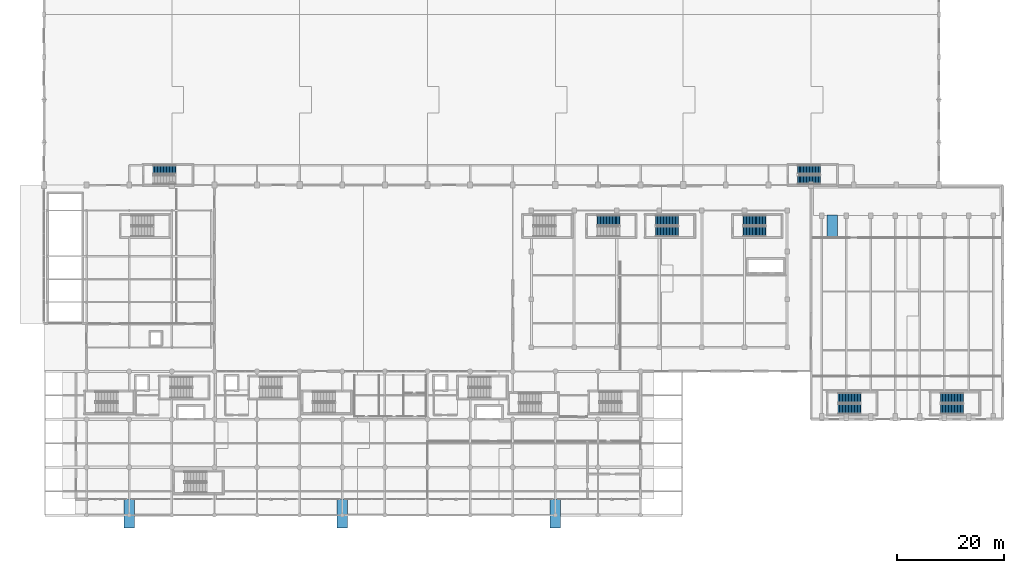
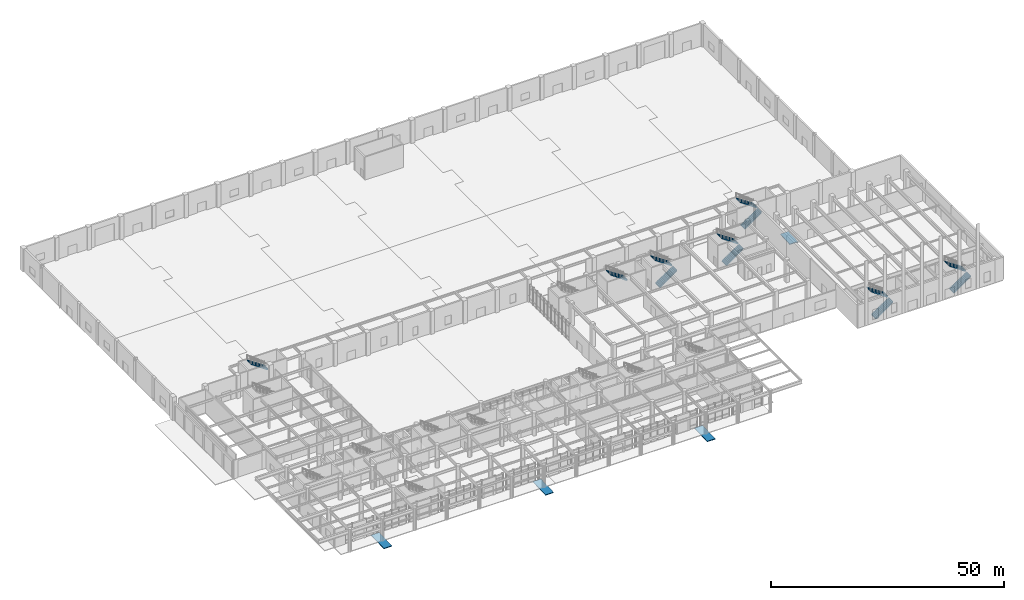
# One storey, part 39 of 49: 12 stair flights, 4 ramp flights, 11 elements without a shape of their own.
"""IFC4 building model written with IfcOpenShell, lengths in metres."""

from ifc_helpers import new_model, si_unit, direction, frame, origin, place, context, subcontext, project, spatial, polyline, outline, extrude, material, layer, layer_set, type_object, element, aggregate, save


model = new_model("IFC4")

# Units and contexts
model_context = context("Model", 3, precision=1e-05, world=origin(), true_north=direction((0.0, 1.0)))
body_context = subcontext(model_context, "Body", "Model", "MODEL_VIEW")
ifc_project = project(units=[si_unit("LENGTHUNIT", "METRE"), si_unit("AREAUNIT", "SQUARE_METRE"), si_unit("VOLUMEUNIT", "CUBIC_METRE"), si_unit("PLANEANGLEUNIT", "RADIAN"), si_unit("MASSUNIT", "GRAM", prefix="KILO")], contexts=[model_context])

# Site, building, storey
site_placement = place(None, origin())
site = spatial("IfcSite", under=ifc_project, at=site_placement, CompositionType="ELEMENT")
building_placement = place(site_placement, origin())
building = spatial("IfcBuilding", under=site, at=building_placement, Name="Tlacozan Convention Centre", CompositionType="ELEMENT")
storey_placement = place(building_placement, origin())
storey = spatial("IfcBuildingStorey", under=building, at=storey_placement, Name="L00", CompositionType="ELEMENT", Elevation=0.0)

# Stair, stair flight
ifc_material = material(Name="Concrete C40/50", Category="concrete")
stair_type_1 = type_object("IfcStairType", Name="Protected Dogleg Stair W170 H60", PredefinedType="HALF_TURN_STAIR", material=ifc_material)
stair_1_placement = place(storey_placement, origin())
stair_1 = element("IfcStair", 1, at=stair_1_placement, inside=storey, type_object=stair_type_1, Name="L00 Exhibition West Stair", PredefinedType="HALF_TURN_STAIR")
stair_flight_type_1 = type_object("IfcStairFlightType", Name="Concrete Stair Flight W170 H60", PredefinedType="STRAIGHT", material=ifc_material)
stair_flight_1_placement = place(storey_placement, frame((24.699951171875, 64.85009765625, 3.0), z_axis=(0.0, 0.0, 1.0), x_axis=(-1.0, 0.0, 0.0)))
stair_flight_1 = element("IfcStairFlight", 2, at=stair_flight_1_placement, type_object=stair_flight_type_1, Name="ST-10 flight 2", NumberOfRisers=16, NumberOfTreads=15, PredefinedType="STRAIGHT", RiserHeight=0.1875, TreadLength=0.28, context=body_context, shape_type="SweptSolid", body=[
    extrude(outline(polyline([(-0.044921875, -0.14990234375), (-0.044921875, 0.0), (0.0, 0.0), (0.0, 0.1875), (0.280029296875, 0.1875), (0.280029296875, 0.375), (0.56005859375, 0.375), (0.56005859375, 0.5625), (0.840087890625, 0.5625), (0.840087890625, 0.75), (1.1201171875, 0.75), (1.1201171875, 0.9375), (1.39990234375, 0.9375), (1.39990234375, 1.125), (1.679931640625, 1.125), (1.679931640625, 1.3125), (1.9599609375, 1.3125), (1.9599609375, 1.5), (2.239990234375, 1.5), (2.239990234375, 1.6875), (2.52001953125, 1.6875), (2.52001953125, 1.875), (2.800048828125, 1.875), (2.800048828125, 2.0625), (3.080078125, 2.0625), (3.080078125, 2.25), (3.360107421875, 2.25), (3.360107421875, 2.4375), (3.639892578125, 2.4375), (3.639892578125, 2.625), (3.919921875, 2.625), (3.919921875, 2.8125), (4.199951171875, 2.8125), (4.199951171875, 3.0), (4.244873046875, 3.0), (4.244873046875, 2.85009765625), (4.199951171875, 2.632080078125), (0.26953125, -0.14990234375), (-0.044921875, -0.14990234375)])), frame((0.0, 0.85009765625, 0.0), z_axis=(0.0, -1.0, 0.0), x_axis=(1.0, 0.0, 0.0)), (0.0, 0.0, 1.0), 1.699951171875),
])
aggregate(stair_1, [stair_flight_1])

# Stair, stair flights
stair_2_placement = place(storey_placement, origin())
stair_2 = element("IfcStair", 3, at=stair_2_placement, inside=storey, type_object=stair_type_1, Name="L00 Exhibition East Stair", PredefinedType="HALF_TURN_STAIR")
stair_flight_2_placement = place(storey_placement, frame((141.5, 62.949951171875, 0.0), z_axis=(0.0, 0.0, 1.0), x_axis=(1.0, 0.0, 0.0)))
stair_flight_2 = element("IfcStairFlight", 4, at=stair_flight_2_placement, type_object=stair_flight_type_1, Name="ST-11 flight 1", NumberOfRisers=16, NumberOfTreads=15, PredefinedType="STRAIGHT", RiserHeight=0.1875, TreadLength=0.28, context=body_context, shape_type="SweptSolid", body=[
    extrude(outline(polyline([(-0.044921875, -0.14990234375), (-0.044921875, 0.0), (0.0, 0.0), (0.0, 0.1875), (0.280029296875, 0.1875), (0.280029296875, 0.375), (0.56005859375, 0.375), (0.56005859375, 0.5625), (0.840087890625, 0.5625), (0.840087890625, 0.75), (1.1201171875, 0.75), (1.1201171875, 0.9375), (1.39990234375, 0.9375), (1.39990234375, 1.125), (1.679931640625, 1.125), (1.679931640625, 1.3125), (1.9599609375, 1.3125), (1.9599609375, 1.5), (2.239990234375, 1.5), (2.239990234375, 1.6875), (2.52001953125, 1.6875), (2.52001953125, 1.875), (2.800048828125, 1.875), (2.800048828125, 2.0625), (3.080078125, 2.0625), (3.080078125, 2.25), (3.360107421875, 2.25), (3.360107421875, 2.4375), (3.639892578125, 2.4375), (3.639892578125, 2.625), (3.919921875, 2.625), (3.919921875, 2.8125), (4.199951171875, 2.8125), (4.199951171875, 3.0), (4.244873046875, 3.0), (4.244873046875, 2.85009765625), (4.199951171875, 2.632080078125), (0.26953125, -0.14990234375), (-0.044921875, -0.14990234375)])), frame((0.0, 0.85009765625, 0.0), z_axis=(0.0, -1.0, 0.0), x_axis=(1.0, 0.0, 0.0)), (0.0, 0.0, 1.0), 1.699951171875),
])
stair_flight_3_placement = place(storey_placement, frame((145.699951171875, 64.85009765625, 3.0), z_axis=(0.0, 0.0, 1.0), x_axis=(-1.0, 0.0, 0.0)))
stair_flight_3 = element("IfcStairFlight", 5, at=stair_flight_3_placement, type_object=stair_flight_type_1, Name="ST-11 flight 2", NumberOfRisers=16, NumberOfTreads=15, PredefinedType="STRAIGHT", RiserHeight=0.1875, TreadLength=0.28, context=body_context, shape_type="SweptSolid", body=[
    extrude(outline(polyline([(-0.044921875, -0.14990234375), (-0.044921875, 0.0), (0.0, 0.0), (0.0, 0.1875), (0.280029296875, 0.1875), (0.280029296875, 0.375), (0.56005859375, 0.375), (0.56005859375, 0.5625), (0.840087890625, 0.5625), (0.840087890625, 0.75), (1.1201171875, 0.75), (1.1201171875, 0.9375), (1.39990234375, 0.9375), (1.39990234375, 1.125), (1.679931640625, 1.125), (1.679931640625, 1.3125), (1.9599609375, 1.3125), (1.9599609375, 1.5), (2.239990234375, 1.5), (2.239990234375, 1.6875), (2.52001953125, 1.6875), (2.52001953125, 1.875), (2.800048828125, 1.875), (2.800048828125, 2.0625), (3.080078125, 2.0625), (3.080078125, 2.25), (3.360107421875, 2.25), (3.360107421875, 2.4375), (3.639892578125, 2.4375), (3.639892578125, 2.625), (3.919921875, 2.625), (3.919921875, 2.8125), (4.199951171875, 2.8125), (4.199951171875, 3.0), (4.244873046875, 3.0), (4.244873046875, 2.85009765625), (4.199951171875, 2.632080078125), (0.26953125, -0.14990234375), (-0.044921875, -0.14990234375)])), frame((0.0, 0.85009765625, 0.0), z_axis=(0.0, -1.0, 0.0), x_axis=(1.0, 0.0, 0.0)), (0.0, 0.0, 1.0), 1.699951171875),
])
aggregate(stair_2, [stair_flight_2, stair_flight_3])

stair_type_2 = type_object("IfcStairType", Name="Protected Dogleg Stair W188 H60", PredefinedType="HALF_TURN_STAIR", material=ifc_material)
stair_3_placement = place(storey_placement, origin())
stair_3 = element("IfcStair", 6, at=stair_3_placement, inside=storey, type_object=stair_type_2, Name="L00 Ballroom and Plenary Hub Core Stair ST-03", PredefinedType="HALF_TURN_STAIR")
stair_flight_type_2 = type_object("IfcStairFlightType", Name="Concrete Stair Flight W188 H60", PredefinedType="STRAIGHT", material=ifc_material)
stair_flight_4_placement = place(storey_placement, frame((131.280029296875, 53.239990234375, 0.0), z_axis=(0.0, 0.0, 1.0), x_axis=(1.0, 0.0, 0.0)))
stair_flight_4 = element("IfcStairFlight", 7, at=stair_flight_4_placement, type_object=stair_flight_type_2, Name="ST-03 flight 1", NumberOfRisers=16, NumberOfTreads=15, PredefinedType="STRAIGHT", RiserHeight=0.1875, TreadLength=0.28, context=body_context, shape_type="SweptSolid", body=[
    extrude(outline(polyline([(-0.044921875, -0.14990234375), (-0.044921875, 0.0), (0.0, 0.0), (0.0, 0.1875), (0.280029296875, 0.1875), (0.280029296875, 0.375), (0.56005859375, 0.375), (0.56005859375, 0.5625), (0.840087890625, 0.5625), (0.840087890625, 0.75), (1.1201171875, 0.75), (1.1201171875, 0.9375), (1.39990234375, 0.9375), (1.39990234375, 1.125), (1.679931640625, 1.125), (1.679931640625, 1.3125), (1.9599609375, 1.3125), (1.9599609375, 1.5), (2.239990234375, 1.5), (2.239990234375, 1.6875), (2.52001953125, 1.6875), (2.52001953125, 1.875), (2.800048828125, 1.875), (2.800048828125, 2.0625), (3.080078125, 2.0625), (3.080078125, 2.25), (3.360107421875, 2.25), (3.360107421875, 2.4375), (3.639892578125, 2.4375), (3.639892578125, 2.625), (3.919921875, 2.625), (3.919921875, 2.8125), (4.199951171875, 2.8125), (4.199951171875, 3.0), (4.244873046875, 3.0), (4.244873046875, 2.85009765625), (4.199951171875, 2.632080078125), (0.26953125, -0.14990234375), (-0.044921875, -0.14990234375)])), frame((0.0, 0.93994140625, 0.0), z_axis=(0.0, -1.0, 0.0), x_axis=(1.0, 0.0, 0.0)), (0.0, 0.0, 1.0), 1.8798828125),
])
stair_flight_5_placement = place(storey_placement, frame((135.47998046875, 55.320068359375, 3.0), z_axis=(0.0, 0.0, 1.0), x_axis=(-1.0, 0.0, 0.0)))
stair_flight_5 = element("IfcStairFlight", 8, at=stair_flight_5_placement, type_object=stair_flight_type_2, Name="ST-03 flight 2", NumberOfRisers=16, NumberOfTreads=15, PredefinedType="STRAIGHT", RiserHeight=0.1875, TreadLength=0.28, context=body_context, shape_type="SweptSolid", body=[
    extrude(outline(polyline([(-0.044921875, -0.14990234375), (-0.044921875, 0.0), (0.0, 0.0), (0.0, 0.1875), (0.280029296875, 0.1875), (0.280029296875, 0.375), (0.56005859375, 0.375), (0.56005859375, 0.5625), (0.840087890625, 0.5625), (0.840087890625, 0.75), (1.1201171875, 0.75), (1.1201171875, 0.9375), (1.39990234375, 0.9375), (1.39990234375, 1.125), (1.679931640625, 1.125), (1.679931640625, 1.3125), (1.9599609375, 1.3125), (1.9599609375, 1.5), (2.239990234375, 1.5), (2.239990234375, 1.6875), (2.52001953125, 1.6875), (2.52001953125, 1.875), (2.800048828125, 1.875), (2.800048828125, 2.0625), (3.080078125, 2.0625), (3.080078125, 2.25), (3.360107421875, 2.25), (3.360107421875, 2.4375), (3.639892578125, 2.4375), (3.639892578125, 2.625), (3.919921875, 2.625), (3.919921875, 2.8125), (4.199951171875, 2.8125), (4.199951171875, 3.0), (4.244873046875, 3.0), (4.244873046875, 2.85009765625), (4.199951171875, 2.632080078125), (0.26953125, -0.14990234375), (-0.044921875, -0.14990234375)])), frame((0.0, 0.93994140625, 0.0), z_axis=(0.0, -1.0, 0.0), x_axis=(1.0, 0.0, 0.0)), (0.0, 0.0, 1.0), 1.8798828125),
])
aggregate(stair_3, [stair_flight_4, stair_flight_5])

# Stair, stair flight
stair_4_placement = place(storey_placement, origin())
stair_4 = element("IfcStair", 9, at=stair_4_placement, inside=storey, type_object=stair_type_2, Name="L00 Ballroom Courtyard Stair", PredefinedType="HALF_TURN_STAIR")
stair_flight_6_placement = place(storey_placement, frame((108.080078125, 55.320068359375, 3.0), z_axis=(0.0, 0.0, 1.0), x_axis=(-1.0, 0.0, 0.0)))
stair_flight_6 = element("IfcStairFlight", 10, at=stair_flight_6_placement, type_object=stair_flight_type_2, Name="ST-17 flight 2", NumberOfRisers=16, NumberOfTreads=15, PredefinedType="STRAIGHT", RiserHeight=0.1875, TreadLength=0.28, context=body_context, shape_type="SweptSolid", body=[
    extrude(outline(polyline([(-0.044921875, -0.14990234375), (-0.044921875, 0.0), (0.0, 0.0), (0.0, 0.1875), (0.280029296875, 0.1875), (0.280029296875, 0.375), (0.56005859375, 0.375), (0.56005859375, 0.5625), (0.840087890625, 0.5625), (0.840087890625, 0.75), (1.1201171875, 0.75), (1.1201171875, 0.9375), (1.39990234375, 0.9375), (1.39990234375, 1.125), (1.679931640625, 1.125), (1.679931640625, 1.3125), (1.9599609375, 1.3125), (1.9599609375, 1.5), (2.239990234375, 1.5), (2.239990234375, 1.6875), (2.52001953125, 1.6875), (2.52001953125, 1.875), (2.800048828125, 1.875), (2.800048828125, 2.0625), (3.080078125, 2.0625), (3.080078125, 2.25), (3.360107421875, 2.25), (3.360107421875, 2.4375), (3.639892578125, 2.4375), (3.639892578125, 2.625), (3.919921875, 2.625), (3.919921875, 2.8125), (4.199951171875, 2.8125), (4.199951171875, 3.0), (4.244873046875, 3.0), (4.244873046875, 2.85009765625), (4.199951171875, 2.632080078125), (0.26953125, -0.14990234375), (-0.044921875, -0.14990234375)])), frame((0.0, 0.93994140625, 0.0), z_axis=(0.0, -1.0, 0.0), x_axis=(1.0, 0.0, 0.0)), (0.0, 0.0, 1.0), 1.8798828125),
])
aggregate(stair_4, [stair_flight_6])

# Stair, stair flights
stair_5_placement = place(storey_placement, origin())
stair_5 = element("IfcStair", 11, at=stair_5_placement, inside=storey, type_object=stair_type_2, Name="L00 Ballroom East Terrace Stair", PredefinedType="HALF_TURN_STAIR")
stair_flight_7_placement = place(storey_placement, frame((114.8798828125, 53.239990234375, 0.0), z_axis=(0.0, 0.0, 1.0), x_axis=(1.0, 0.0, 0.0)))
stair_flight_7 = element("IfcStairFlight", 12, at=stair_flight_7_placement, type_object=stair_flight_type_2, Name="ST-18 flight 1", NumberOfRisers=16, NumberOfTreads=15, PredefinedType="STRAIGHT", RiserHeight=0.1875, TreadLength=0.28, context=body_context, shape_type="SweptSolid", body=[
    extrude(outline(polyline([(-0.044921875, -0.14990234375), (-0.044921875, 0.0), (0.0, 0.0), (0.0, 0.1875), (0.280029296875, 0.1875), (0.280029296875, 0.375), (0.56005859375, 0.375), (0.56005859375, 0.5625), (0.840087890625, 0.5625), (0.840087890625, 0.75), (1.1201171875, 0.75), (1.1201171875, 0.9375), (1.39990234375, 0.9375), (1.39990234375, 1.125), (1.679931640625, 1.125), (1.679931640625, 1.3125), (1.9599609375, 1.3125), (1.9599609375, 1.5), (2.239990234375, 1.5), (2.239990234375, 1.6875), (2.52001953125, 1.6875), (2.52001953125, 1.875), (2.800048828125, 1.875), (2.800048828125, 2.0625), (3.080078125, 2.0625), (3.080078125, 2.25), (3.360107421875, 2.25), (3.360107421875, 2.4375), (3.639892578125, 2.4375), (3.639892578125, 2.625), (3.919921875, 2.625), (3.919921875, 2.8125), (4.199951171875, 2.8125), (4.199951171875, 3.0), (4.244873046875, 3.0), (4.244873046875, 2.85009765625), (4.199951171875, 2.632080078125), (0.26953125, -0.14990234375), (-0.044921875, -0.14990234375)])), frame((0.0, 0.93994140625, 0.0), z_axis=(0.0, -1.0, 0.0), x_axis=(1.0, 0.0, 0.0)), (0.0, 0.0, 1.0), 1.8798828125),
])
stair_flight_8_placement = place(storey_placement, frame((119.080078125, 55.320068359375, 3.0), z_axis=(0.0, 0.0, 1.0), x_axis=(-1.0, 0.0, 0.0)))
stair_flight_8 = element("IfcStairFlight", 13, at=stair_flight_8_placement, type_object=stair_flight_type_2, Name="ST-18 flight 2", NumberOfRisers=16, NumberOfTreads=15, PredefinedType="STRAIGHT", RiserHeight=0.1875, TreadLength=0.28, context=body_context, shape_type="SweptSolid", body=[
    extrude(outline(polyline([(-0.044921875, -0.14990234375), (-0.044921875, 0.0), (0.0, 0.0), (0.0, 0.1875), (0.280029296875, 0.1875), (0.280029296875, 0.375), (0.56005859375, 0.375), (0.56005859375, 0.5625), (0.840087890625, 0.5625), (0.840087890625, 0.75), (1.1201171875, 0.75), (1.1201171875, 0.9375), (1.39990234375, 0.9375), (1.39990234375, 1.125), (1.679931640625, 1.125), (1.679931640625, 1.3125), (1.9599609375, 1.3125), (1.9599609375, 1.5), (2.239990234375, 1.5), (2.239990234375, 1.6875), (2.52001953125, 1.6875), (2.52001953125, 1.875), (2.800048828125, 1.875), (2.800048828125, 2.0625), (3.080078125, 2.0625), (3.080078125, 2.25), (3.360107421875, 2.25), (3.360107421875, 2.4375), (3.639892578125, 2.4375), (3.639892578125, 2.625), (3.919921875, 2.625), (3.919921875, 2.8125), (4.199951171875, 2.8125), (4.199951171875, 3.0), (4.244873046875, 3.0), (4.244873046875, 2.85009765625), (4.199951171875, 2.632080078125), (0.26953125, -0.14990234375), (-0.044921875, -0.14990234375)])), frame((0.0, 0.93994140625, 0.0), z_axis=(0.0, -1.0, 0.0), x_axis=(1.0, 0.0, 0.0)), (0.0, 0.0, 1.0), 1.8798828125),
])
aggregate(stair_5, [stair_flight_7, stair_flight_8])

stair_6_placement = place(storey_placement, origin())
stair_6 = element("IfcStair", 14, at=stair_6_placement, inside=storey, type_object=stair_type_2, Name="L00 Plenary South-East Stair", PredefinedType="HALF_TURN_STAIR")
stair_flight_9_placement = place(storey_placement, frame((168.3798828125, 19.93994140625, 0.0), z_axis=(0.0, 0.0, 1.0), x_axis=(1.0, 0.0, 0.0)))
stair_flight_9 = element("IfcStairFlight", 15, at=stair_flight_9_placement, type_object=stair_flight_type_2, Name="ST-07 flight 1", NumberOfRisers=16, NumberOfTreads=15, PredefinedType="STRAIGHT", RiserHeight=0.1875, TreadLength=0.28, context=body_context, shape_type="SweptSolid", body=[
    extrude(outline(polyline([(-0.044921875, -0.14990234375), (-0.044921875, 0.0), (0.0, 0.0), (0.0, 0.1875), (0.280029296875, 0.1875), (0.280029296875, 0.375), (0.56005859375, 0.375), (0.56005859375, 0.5625), (0.840087890625, 0.5625), (0.840087890625, 0.75), (1.1201171875, 0.75), (1.1201171875, 0.9375), (1.39990234375, 0.9375), (1.39990234375, 1.125), (1.679931640625, 1.125), (1.679931640625, 1.3125), (1.9599609375, 1.3125), (1.9599609375, 1.5), (2.239990234375, 1.5), (2.239990234375, 1.6875), (2.52001953125, 1.6875), (2.52001953125, 1.875), (2.800048828125, 1.875), (2.800048828125, 2.0625), (3.080078125, 2.0625), (3.080078125, 2.25), (3.360107421875, 2.25), (3.360107421875, 2.4375), (3.639892578125, 2.4375), (3.639892578125, 2.625), (3.919921875, 2.625), (3.919921875, 2.8125), (4.199951171875, 2.8125), (4.199951171875, 3.0), (4.244873046875, 3.0), (4.244873046875, 2.85009765625), (4.199951171875, 2.632080078125), (0.26953125, -0.14990234375), (-0.044921875, -0.14990234375)])), frame((0.0, 0.93994140625, 0.0), z_axis=(0.0, -1.0, 0.0), x_axis=(1.0, 0.0, 0.0)), (0.0, 0.0, 1.0), 1.8798828125),
])
stair_flight_10_placement = place(storey_placement, frame((172.580078125, 22.02001953125, 3.0), z_axis=(0.0, 0.0, 1.0), x_axis=(-1.0, 0.0, 0.0)))
stair_flight_10 = element("IfcStairFlight", 16, at=stair_flight_10_placement, type_object=stair_flight_type_2, Name="ST-07 flight 2", NumberOfRisers=16, NumberOfTreads=15, PredefinedType="STRAIGHT", RiserHeight=0.1875, TreadLength=0.28, context=body_context, shape_type="SweptSolid", body=[
    extrude(outline(polyline([(-0.044921875, -0.14990234375), (-0.044921875, 0.0), (0.0, 0.0), (0.0, 0.1875), (0.280029296875, 0.1875), (0.280029296875, 0.375), (0.56005859375, 0.375), (0.56005859375, 0.5625), (0.840087890625, 0.5625), (0.840087890625, 0.75), (1.1201171875, 0.75), (1.1201171875, 0.9375), (1.39990234375, 0.9375), (1.39990234375, 1.125), (1.679931640625, 1.125), (1.679931640625, 1.3125), (1.9599609375, 1.3125), (1.9599609375, 1.5), (2.239990234375, 1.5), (2.239990234375, 1.6875), (2.52001953125, 1.6875), (2.52001953125, 1.875), (2.800048828125, 1.875), (2.800048828125, 2.0625), (3.080078125, 2.0625), (3.080078125, 2.25), (3.360107421875, 2.25), (3.360107421875, 2.4375), (3.639892578125, 2.4375), (3.639892578125, 2.625), (3.919921875, 2.625), (3.919921875, 2.8125), (4.199951171875, 2.8125), (4.199951171875, 3.0), (4.244873046875, 3.0), (4.244873046875, 2.85009765625), (4.199951171875, 2.632080078125), (0.26953125, -0.14990234375), (-0.044921875, -0.14990234375)])), frame((0.0, 0.93994140625, 0.0), z_axis=(0.0, -1.0, 0.0), x_axis=(1.0, 0.0, 0.0)), (0.0, 0.0, 1.0), 1.8798828125),
])
aggregate(stair_6, [stair_flight_9, stair_flight_10])

stair_7_placement = place(storey_placement, origin())
stair_7 = element("IfcStair", 17, at=stair_7_placement, inside=storey, type_object=stair_type_2, Name="L00 Plenary South-West Stair", PredefinedType="HALF_TURN_STAIR")
stair_flight_11_placement = place(storey_placement, frame((149.080078125, 19.93994140625, 0.0), z_axis=(0.0, 0.0, 1.0), x_axis=(1.0, 0.0, 0.0)))
stair_flight_11 = element("IfcStairFlight", 18, at=stair_flight_11_placement, type_object=stair_flight_type_2, Name="ST-08 flight 1", NumberOfRisers=16, NumberOfTreads=15, PredefinedType="STRAIGHT", RiserHeight=0.1875, TreadLength=0.28, context=body_context, shape_type="SweptSolid", body=[
    extrude(outline(polyline([(-0.044921875, -0.14990234375), (-0.044921875, 0.0), (0.0, 0.0), (0.0, 0.1875), (0.280029296875, 0.1875), (0.280029296875, 0.375), (0.56005859375, 0.375), (0.56005859375, 0.5625), (0.840087890625, 0.5625), (0.840087890625, 0.75), (1.1201171875, 0.75), (1.1201171875, 0.9375), (1.39990234375, 0.9375), (1.39990234375, 1.125), (1.679931640625, 1.125), (1.679931640625, 1.3125), (1.9599609375, 1.3125), (1.9599609375, 1.5), (2.239990234375, 1.5), (2.239990234375, 1.6875), (2.52001953125, 1.6875), (2.52001953125, 1.875), (2.800048828125, 1.875), (2.800048828125, 2.0625), (3.080078125, 2.0625), (3.080078125, 2.25), (3.360107421875, 2.25), (3.360107421875, 2.4375), (3.639892578125, 2.4375), (3.639892578125, 2.625), (3.919921875, 2.625), (3.919921875, 2.8125), (4.199951171875, 2.8125), (4.199951171875, 3.0), (4.244873046875, 3.0), (4.244873046875, 2.85009765625), (4.199951171875, 2.632080078125), (0.26953125, -0.14990234375), (-0.044921875, -0.14990234375)])), frame((0.0, 0.93994140625, 0.0), z_axis=(0.0, -1.0, 0.0), x_axis=(1.0, 0.0, 0.0)), (0.0, 0.0, 1.0), 1.8798828125),
])
stair_flight_12_placement = place(storey_placement, frame((153.280029296875, 22.02001953125, 3.0), z_axis=(0.0, 0.0, 1.0), x_axis=(-1.0, 0.0, 0.0)))
stair_flight_12 = element("IfcStairFlight", 19, at=stair_flight_12_placement, type_object=stair_flight_type_2, Name="ST-08 flight 2", NumberOfRisers=16, NumberOfTreads=15, PredefinedType="STRAIGHT", RiserHeight=0.1875, TreadLength=0.28, context=body_context, shape_type="SweptSolid", body=[
    extrude(outline(polyline([(-0.044921875, -0.14990234375), (-0.044921875, 0.0), (0.0, 0.0), (0.0, 0.1875), (0.280029296875, 0.1875), (0.280029296875, 0.375), (0.56005859375, 0.375), (0.56005859375, 0.5625), (0.840087890625, 0.5625), (0.840087890625, 0.75), (1.1201171875, 0.75), (1.1201171875, 0.9375), (1.39990234375, 0.9375), (1.39990234375, 1.125), (1.679931640625, 1.125), (1.679931640625, 1.3125), (1.9599609375, 1.3125), (1.9599609375, 1.5), (2.239990234375, 1.5), (2.239990234375, 1.6875), (2.52001953125, 1.6875), (2.52001953125, 1.875), (2.800048828125, 1.875), (2.800048828125, 2.0625), (3.080078125, 2.0625), (3.080078125, 2.25), (3.360107421875, 2.25), (3.360107421875, 2.4375), (3.639892578125, 2.4375), (3.639892578125, 2.625), (3.919921875, 2.625), (3.919921875, 2.8125), (4.199951171875, 2.8125), (4.199951171875, 3.0), (4.244873046875, 3.0), (4.244873046875, 2.85009765625), (4.199951171875, 2.632080078125), (0.26953125, -0.14990234375), (-0.044921875, -0.14990234375)])), frame((0.0, 0.93994140625, 0.0), z_axis=(0.0, -1.0, 0.0), x_axis=(1.0, 0.0, 0.0)), (0.0, 0.0, 1.0), 1.8798828125),
])
aggregate(stair_7, [stair_flight_11, stair_flight_12])

# Ramp, ramp flight
ramp_type = type_object("IfcRampType", Name="Accessible Pedestrian Concourse Ramp", PredefinedType="STRAIGHT_RUN_RAMP", material=ifc_material)
ramp_1_placement = place(storey_placement, origin())
ramp_1 = element("IfcRamp", 20, at=ramp_1_placement, inside=storey, type_object=ramp_type, Name="Park Promenade West Accessible Entrance Ramp", PredefinedType="STRAIGHT_RUN_RAMP")
ifc_layer = layer(ifc_material, 0.179931640625)
ifc_layer_set = layer_set([ifc_layer], Name="Concrete C40/50")
ramp_flight_type = type_object("IfcRampFlightType", Name="Accessible Pedestrian Ramp Flight 180", PredefinedType="STRAIGHT", material=ifc_layer_set)
ramp_flight_1_placement = place(storey_placement, frame((16.0, -2.39990234375, -0.199951171875), z_axis=(0.0, 0.0, 1.0), x_axis=(0.0, 1.0, 0.0)))
ramp_flight_1 = element("IfcRampFlight", 21, at=ramp_flight_1_placement, type_object=ramp_flight_type, Name="Park Promenade West Accessible Entrance Ramp Flight", PredefinedType="STRAIGHT", context=body_context, shape_type="SweptSolid", body=[
    extrude(outline(polyline([(-0.044921875, 0.0), (-0.044921875, -0.179931640625), (0.0, -0.179931640625), (5.39990234375, 0.02001953125), (5.44482421875, 0.02001953125), (5.44482421875, 0.199951171875), (-0.044921875, 0.0)])), frame((0.0, 1.0, 0.0), z_axis=(0.0, -1.0, 0.0), x_axis=(1.0, 0.0, 0.0)), (0.0, 0.0, 1.0), 2.0),
])
aggregate(ramp_1, [ramp_flight_1])

ramp_2_placement = place(storey_placement, origin())
ramp_2 = element("IfcRamp", 22, at=ramp_2_placement, inside=storey, type_object=ramp_type, Name="Park Promenade Central Accessible Entrance Ramp", PredefinedType="STRAIGHT_RUN_RAMP")
ramp_flight_2_placement = place(storey_placement, frame((56.0, -2.39990234375, -0.199951171875), z_axis=(0.0, 0.0, 1.0), x_axis=(0.0, 1.0, 0.0)))
ramp_flight_2 = element("IfcRampFlight", 23, at=ramp_flight_2_placement, type_object=ramp_flight_type, Name="Park Promenade Central Accessible Entrance Ramp Flight", PredefinedType="STRAIGHT", context=body_context, shape_type="SweptSolid", body=[
    extrude(outline(polyline([(-0.044921875, 0.0), (-0.044921875, -0.179931640625), (0.0, -0.179931640625), (5.39990234375, 0.02001953125), (5.44482421875, 0.02001953125), (5.44482421875, 0.199951171875), (-0.044921875, 0.0)])), frame((0.0, 1.0, 0.0), z_axis=(0.0, -1.0, 0.0), x_axis=(1.0, 0.0, 0.0)), (0.0, 0.0, 1.0), 2.0),
])
aggregate(ramp_2, [ramp_flight_2])

ramp_3_placement = place(storey_placement, origin())
ramp_3 = element("IfcRamp", 24, at=ramp_3_placement, inside=storey, type_object=ramp_type, Name="Park Promenade East Accessible Entrance Ramp", PredefinedType="STRAIGHT_RUN_RAMP")
ramp_flight_3_placement = place(storey_placement, frame((96.0, -2.39990234375, -0.199951171875), z_axis=(0.0, 0.0, 1.0), x_axis=(0.0, 1.0, 0.0)))
ramp_flight_3 = element("IfcRampFlight", 25, at=ramp_flight_3_placement, type_object=ramp_flight_type, Name="Park Promenade East Accessible Entrance Ramp Flight", PredefinedType="STRAIGHT", context=body_context, shape_type="SweptSolid", body=[
    extrude(outline(polyline([(-0.044921875, 0.0), (-0.044921875, -0.179931640625), (0.0, -0.179931640625), (5.39990234375, 0.02001953125), (5.44482421875, 0.02001953125), (5.44482421875, 0.199951171875), (-0.044921875, 0.0)])), frame((0.0, 1.0, 0.0), z_axis=(0.0, -1.0, 0.0), x_axis=(1.0, 0.0, 0.0)), (0.0, 0.0, 1.0), 2.0),
])
aggregate(ramp_3, [ramp_flight_3])

ramp_4_placement = place(storey_placement, origin())
ramp_4 = element("IfcRamp", 26, at=ramp_4_placement, inside=storey, type_object=ramp_type, Name="Plenary Stage Accessible Ramp", PredefinedType="STRAIGHT_RUN_RAMP")
ramp_flight_4_placement = place(storey_placement, frame((148.0, 52.300048828125, 0.0), z_axis=(0.0, 0.0, 1.0), x_axis=(0.0, 1.0, 0.0)))
ramp_flight_4 = element("IfcRampFlight", 27, at=ramp_flight_4_placement, type_object=ramp_flight_type, Name="Plenary Stage Accessible Ramp Flight", PredefinedType="STRAIGHT", context=body_context, shape_type="SweptSolid", body=[
    extrude(outline(polyline([(-0.044921875, 0.0), (-0.044921875, -0.179931640625), (0.0, -0.179931640625), (4.0, 0.02001953125), (4.044921875, 0.02001953125), (4.044921875, 0.199951171875), (-0.044921875, 0.0)])), frame((0.0, 1.0, 0.0), z_axis=(0.0, -1.0, 0.0), x_axis=(1.0, 0.0, 0.0)), (0.0, 0.0, 1.0), 2.0),
])
aggregate(ramp_4, [ramp_flight_4])

save(model, "model.ifc")
